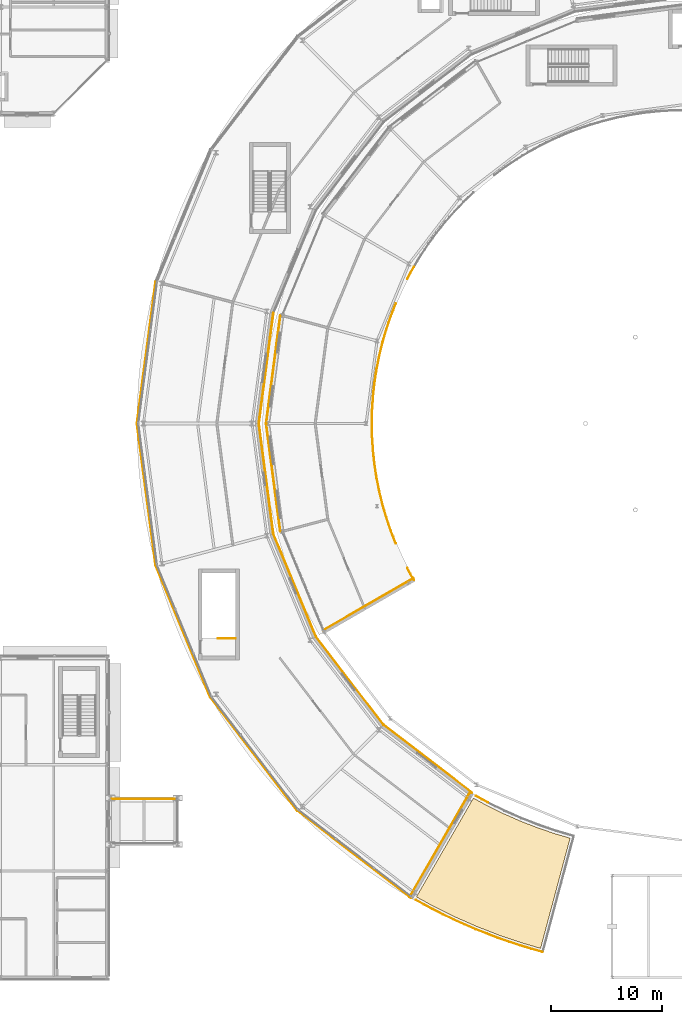
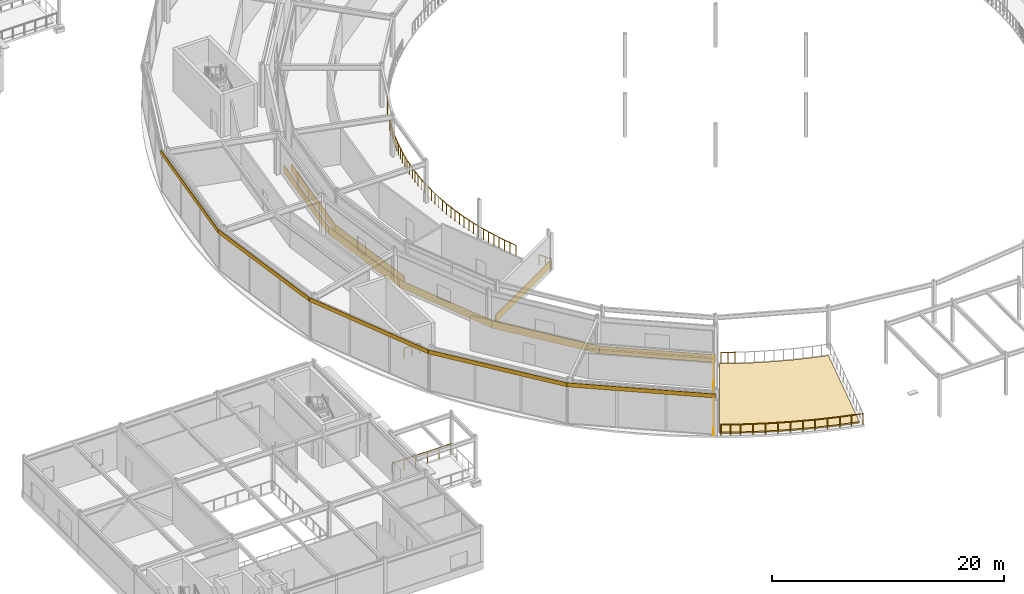
# One storey, part 138 of 157: 29 railings, 15 coverings.
"""IFC4 building model written with IfcOpenShell, lengths in metres."""

from ifc_helpers import new_model, si_unit, direction, frame, origin, origin_2d, place, context, subcontext, project, spatial, polyline, rectangle, circle, outline, extrude, material, layer, layer_set, type_object, element, save


model = new_model("IFC4")

# Units and contexts
model_context = context("Model", 3, precision=1e-05, world=origin(), true_north=direction((0.0, 1.0)))
body_context = subcontext(model_context, "Body", "Model", "MODEL_VIEW")
ifc_project = project(units=[si_unit("LENGTHUNIT", "METRE"), si_unit("AREAUNIT", "SQUARE_METRE"), si_unit("VOLUMEUNIT", "CUBIC_METRE"), si_unit("PLANEANGLEUNIT", "RADIAN"), si_unit("MASSUNIT", "GRAM", prefix="KILO")], contexts=[model_context])

# Site, building, storey
site_placement = place(None, origin())
site = spatial("IfcSite", under=ifc_project, at=site_placement, CompositionType="ELEMENT")
building_placement = place(site_placement, origin())
building = spatial("IfcBuilding", under=site, at=building_placement, Name="Almandine Court Research Institute", CompositionType="ELEMENT")
storey_placement = place(building_placement, frame((0.0, 0.0, 5.25)))
storey = spatial("IfcBuildingStorey", under=building, at=storey_placement, Name="L01", CompositionType="ELEMENT", Elevation=5.25)

# Coverings
ifc_material_1 = material(Name="Honed Andean Red-Buff Sandstone Cladding", Category="masonry")
ifc_layer_1 = layer(ifc_material_1, 0.06494140625)
ifc_layer_set_1 = layer_set([ifc_layer_1], Name="Honed Andean Red-Buff Sandstone Cladding")
covering_type_1 = type_object("IfcCoveringType", Name="Cov-CLAD-SAND", PredefinedType="CLADDING", material=ifc_layer_set_1)
for number, where, z_axis, x_axis, name in (
    (1, (49.172119140625, 60.97998046875, 0.02001953125), (0.0, 0.0, 1.0), (-0.13052619222, -0.991444861374, 0.0), "L01 Facade Spandrel Cladding Band 325"),
    (2, (49.172119140625, 51.02001953125, 0.02001953125), (0.0, 0.0, 1.0), (0.13052619222, -0.991444861374, 0.0), "L01 Facade Spandrel Cladding Band 327"),
    (3, (51.75, 41.39892578125, 0.02001953125), (0.0, 0.0, 1.0), (0.382683432365, -0.923879532511, 0.0), "L01 Facade Spandrel Cladding Band 329"),
    (4, (56.72998046875, 32.77294921875, 0.02001953125), (0.0, 0.0, 1.0), (0.608761429009, -0.793353340291, 0.0), "L01 Facade Spandrel Cladding Band 331"),
    (5, (63.77294921875, 25.72998046875, 0.02001953125), (0.0, 0.0, 1.0), (0.793353340291, -0.608761429009, 0.0), "L01 Facade Spandrel Cladding Band 333"),
):
    element("IfcCovering", number, at=place(storey_placement, frame(where, z_axis=z_axis, x_axis=x_axis)), inside=storey, type_object=covering_type_1, Name=name, PredefinedType="CLADDING", context=body_context, shape_type="SweptSolid", body=[
        extrude(rectangle(XDim=10.080078125, YDim=0.06494140625, at=origin_2d()), origin(), (0.0, 0.0, 1.0), 0.800048828125),
    ])
covering_1_placement = place(storey_placement, frame((64.847900390625, 17.98291015625, 0.02001953125), z_axis=(0.0, 0.0, 1.0), x_axis=(0.5, 0.866025403784, 0.0)))
element("IfcCovering", 6, at=covering_1_placement, inside=storey, type_object=covering_type_1, Name="L01 Facade Spandrel Cladding Band 335", PredefinedType="CLADDING", context=body_context, shape_type="SweptSolid", body=[
    extrude(rectangle(XDim=10.950927734375, YDim=0.06494140625, at=origin_2d()), origin(), (0.0, 0.0, 1.0), 0.800048828125),
])
for number, where, z_axis, x_axis, name in (
    (7, (49.818115234375, 60.89501953125, 0.02001953125), (0.0, 0.0, 1.0), (0.13052619222, 0.991444861374, 0.0), "L01 Facade Spandrel Cladding Band 450"),
    (8, (49.818115234375, 51.10498046875, 0.02001953125), (0.0, 0.0, 1.0), (-0.13052619222, 0.991444861374, 0.0), "L01 Facade Spandrel Cladding Band 451"),
):
    element("IfcCovering", number, at=place(storey_placement, frame(where, z_axis=z_axis, x_axis=x_axis)), inside=storey, type_object=covering_type_1, Name=name, PredefinedType="CLADDING", context=body_context, shape_type="SweptSolid", body=[
        extrude(rectangle(XDim=9.821044921875, YDim=0.06494140625, at=origin_2d()), origin(), (0.0, 0.0, 1.0), 0.800048828125),
    ])
covering_2_placement = place(storey_placement, frame((58.39794921875, 39.68896484375, 0.02001953125), z_axis=(0.0, 0.0, 1.0), x_axis=(0.866025403784, 0.5, 0.0)))
element("IfcCovering", 9, at=covering_2_placement, inside=storey, type_object=covering_type_1, Name="L01 Facade Spandrel Cladding Band 453", PredefinedType="CLADDING", context=body_context, shape_type="SweptSolid", body=[
    extrude(rectangle(XDim=9.402099609375, YDim=0.06494140625, at=origin_2d()), origin(), (0.0, 0.0, 1.0), 0.800048828125),
])
ifc_material_2 = material(Name="Extruded Cream-Ochre Seismic Terracotta Spandrel", Category="masonry")
ifc_layer_2 = layer(ifc_material_2, 0.054931640625)
ifc_layer_set_2 = layer_set([ifc_layer_2], Name="Extruded Cream-Ochre Seismic Terracotta Spandrel")
covering_type_2 = type_object("IfcCoveringType", Name="Cov-CLAD-TERR", PredefinedType="CLADDING", material=ifc_layer_set_2)
for number, where, z_axis, x_axis, name in (
    (10, (38.361083984375, 62.404052734375, 3.97998046875), (0.0, 0.0, 1.0), (0.13052619222, 0.991444861374, 0.0), "L01 Drum Stacked Terracotta Ring Band 11"),
    (11, (38.361083984375, 49.595947265625, 3.97998046875), (0.0, 0.0, 1.0), (-0.13052619222, 0.991444861374, 0.0), "L01 Drum Stacked Terracotta Ring Band 12"),
    (12, (41.676025390625, 37.22607421875, 3.97998046875), (0.0, 0.0, 1.0), (-0.382683432365, 0.923879532511, 0.0), "L01 Drum Stacked Terracotta Ring Band 13"),
    (13, (48.080078125, 26.135009765625, 3.97998046875), (0.0, 0.0, 1.0), (-0.608761429009, 0.793353340291, 0.0), "L01 Drum Stacked Terracotta Ring Band 14"),
    (14, (57.135009765625, 17.080078125, 3.97998046875), (0.0, 0.0, 1.0), (-0.793353340291, 0.608761429009, 0.0), "L01 Drum Stacked Terracotta Ring Band 15"),
):
    element("IfcCovering", number, at=place(storey_placement, frame(where, z_axis=z_axis, x_axis=x_axis)), inside=storey, type_object=covering_type_2, Name=name, PredefinedType="CLADDING", context=body_context, shape_type="SweptSolid", body=[
        extrude(rectangle(XDim=12.8779296875, YDim=0.054931640625, at=origin_2d()), origin(), (0.0, 0.0, 1.0), 0.419921875),
    ])
ifc_material_3 = material(Name="Extensive Andean Sedum Planted Green Roof Build-Up")
ifc_layer_3 = layer(ifc_material_3, 0.139892578125)
ifc_layer_set_3 = layer_set([ifc_layer_3], Name="Extensive Andean Sedum Planted Green Roof Build-Up")
covering_type_3 = type_object("IfcCoveringType", Name="Cov-ROOF-GREEN", PredefinedType="ROOFING", material=ifc_layer_set_3)
covering_3_placement = place(storey_placement, origin())
element("IfcCovering", 15, at=covering_3_placement, inside=storey, type_object=covering_type_3, Name="L01 Planted Green Roof Covering 11", PredefinedType="ROOFING", context=body_context, shape_type="SweptSolid", body=[
    extrude(outline(polyline([(62.73193359375, 13.26708984375), (67.882080078125, 22.18603515625), (69.06103515625, 21.5390625), (70.5810546875, 20.7900390625), (72.133056640625, 20.10791015625), (73.7119140625, 19.492919921875), (75.318115234375, 18.947998046875), (76.60791015625, 18.572021484375), (73.943115234375, 8.623046875), (72.219970703125, 9.125), (70.18994140625, 9.81396484375), (68.19091796875, 10.591064453125), (66.22802734375, 11.455078125), (64.304931640625, 12.404052734375), (62.73193359375, 13.26708984375)])), origin(), (0.0, 0.0, 1.0), 0.139892578125),
])

# Railings
ifc_material_4 = material(Name="Architectural Powder-Coated Aluminium Balustrade", Category="aluminium")
railing_type_1 = type_object("IfcRailingType", Name="Rail-BAL-EXT", PredefinedType="BALUSTRADE", material=ifc_material_4)
railing_1_placement = place(storey_placement, frame((68.10498046875, 22.3720703125, 0.0)))
element("IfcRailing", 16, at=railing_1_placement, inside=storey, type_object=railing_type_1, Name="L01 Terrace Perimeter Balustrade 037", PredefinedType="BALUSTRADE", context=body_context, shape_type="SweptSolid", body=[
    extrude(circle(Radius=0.02392578125, at=origin_2d()), frame((0.0, 0.0, 1.1259765625), z_axis=(0.876750466541, -0.480945547251, 0.0), x_axis=(0.480945547251, 0.876750466541, 0.0)), (0.0, 0.0, 1.0), 1.23291015625),
    extrude(circle(Radius=0.02099609375, at=origin_2d()), origin(), (0.0, 0.0, 1.0), 1.101806640625),
    extrude(circle(Radius=0.02099609375, at=origin_2d()), frame((0.54052734375, -0.29638671875, 0.0)), (0.0, 0.0, 1.0), 1.101806640625),
    extrude(circle(Radius=0.02099609375, at=origin_2d()), frame((1.0810546875, -0.593017578125, 0.0)), (0.0, 0.0, 1.0), 1.101806640625),
])
railing_2_placement = place(storey_placement, frame((74.132080078125, 8.287109375, 0.0)))
element("IfcRailing", 17, at=railing_2_placement, inside=storey, type_object=railing_type_1, Name="L01 Terrace Perimeter Balustrade 044", PredefinedType="BALUSTRADE", context=body_context, shape_type="SweptSolid", body=[
    extrude(circle(Radius=0.02392578125, at=origin_2d()), frame((0.0, 0.0, 1.1259765625), z_axis=(-0.960194723053, 0.279331512402, 0.0), x_axis=(-0.279331512402, -0.960194723053, 0.0)), (0.0, 0.0, 1.0), 2.07568359375),
    extrude(circle(Radius=0.02099609375, at=origin_2d()), origin(), (0.0, 0.0, 1.0), 1.101806640625),
    extrude(circle(Radius=0.02099609375, at=origin_2d()), frame((-0.99658203125, 0.2900390625, 0.0)), (0.0, 0.0, 1.0), 1.101806640625),
    extrude(circle(Radius=0.02099609375, at=origin_2d()), frame((-1.9931640625, 0.579833984375, 0.0)), (0.0, 0.0, 1.0), 1.101806640625),
])
railing_3_placement = place(storey_placement, frame((72.138916015625, 8.866943359375, 0.0)))
element("IfcRailing", 18, at=railing_3_placement, inside=storey, type_object=railing_type_1, Name="L01 Terrace Perimeter Balustrade 045", PredefinedType="BALUSTRADE", context=body_context, shape_type="SweptSolid", body=[
    extrude(circle(Radius=0.02392578125, at=origin_2d()), frame((0.0, 0.0, 1.1259765625), z_axis=(-0.946936863637, 0.321419626478, 0.0), x_axis=(-0.321419626478, -0.946936863637, 0.0)), (0.0, 0.0, 1.0), 2.156494140625),
    extrude(circle(Radius=0.02099609375, at=origin_2d()), origin(), (0.0, 0.0, 1.0), 1.101806640625),
    extrude(circle(Radius=0.02099609375, at=origin_2d()), frame((-1.02099609375, 0.3466796875, 0.0)), (0.0, 0.0, 1.0), 1.101806640625),
    extrude(circle(Radius=0.02099609375, at=origin_2d()), frame((-2.0419921875, 0.693115234375, 0.0)), (0.0, 0.0, 1.0), 1.101806640625),
])
railing_4_placement = place(storey_placement, frame((70.096923828125, 9.56005859375, 0.0)))
element("IfcRailing", 19, at=railing_4_placement, inside=storey, type_object=railing_type_1, Name="L01 Terrace Perimeter Balustrade 046", PredefinedType="BALUSTRADE", context=body_context, shape_type="SweptSolid", body=[
    extrude(circle(Radius=0.02392578125, at=origin_2d()), frame((0.0, 0.0, 1.1259765625), z_axis=(-0.931896242197, 0.362724956101, 0.0), x_axis=(-0.362724956101, -0.931896242197, 0.0)), (0.0, 0.0, 1.0), 2.15576171875),
    extrude(circle(Radius=0.02099609375, at=origin_2d()), origin(), (0.0, 0.0, 1.0), 1.101806640625),
    extrude(circle(Radius=0.02099609375, at=origin_2d()), frame((-1.00439453125, 0.39111328125, 0.0)), (0.0, 0.0, 1.0), 1.101806640625),
    extrude(circle(Radius=0.02099609375, at=origin_2d()), frame((-2.009033203125, 0.781982421875, 0.0)), (0.0, 0.0, 1.0), 1.101806640625),
])
railing_5_placement = place(storey_placement, frame((68.087890625, 10.342041015625, 0.0)))
element("IfcRailing", 20, at=railing_5_placement, inside=storey, type_object=railing_type_1, Name="L01 Terrace Perimeter Balustrade 047", PredefinedType="BALUSTRADE", context=body_context, shape_type="SweptSolid", body=[
    extrude(circle(Radius=0.02392578125, at=origin_2d()), frame((0.0, 0.0, 1.1259765625), z_axis=(-0.915248251173, 0.402890355711, 0.0), x_axis=(-0.402890355711, -0.915248251173, 0.0)), (0.0, 0.0, 1.0), 2.15673828125),
    extrude(circle(Radius=0.02099609375, at=origin_2d()), origin(), (0.0, 0.0, 1.0), 1.101806640625),
    extrude(circle(Radius=0.02099609375, at=origin_2d()), frame((-0.98681640625, 0.4345703125, 0.0)), (0.0, 0.0, 1.0), 1.101806640625),
    extrude(circle(Radius=0.02099609375, at=origin_2d()), frame((-1.973876953125, 0.868896484375, 0.0)), (0.0, 0.0, 1.0), 1.101806640625),
])
railing_6_placement = place(storey_placement, frame((66.114013671875, 11.2109375, 0.0)))
element("IfcRailing", 21, at=railing_6_placement, inside=storey, type_object=railing_type_1, Name="L01 Terrace Perimeter Balustrade 048", PredefinedType="BALUSTRADE", context=body_context, shape_type="SweptSolid", body=[
    extrude(circle(Radius=0.02392578125, at=origin_2d()), frame((0.0, 0.0, 1.1259765625), z_axis=(-0.896993891431, 0.442042937661, 0.0), x_axis=(-0.442042937661, -0.896993891431, 0.0)), (0.0, 0.0, 1.0), 2.15625),
    extrude(circle(Radius=0.02099609375, at=origin_2d()), origin(), (0.0, 0.0, 1.0), 1.101806640625),
    extrude(circle(Radius=0.02099609375, at=origin_2d()), frame((-0.967041015625, 0.4765625, 0.0)), (0.0, 0.0, 1.0), 1.101806640625),
    extrude(circle(Radius=0.02099609375, at=origin_2d()), frame((-1.93408203125, 0.953125, 0.0)), (0.0, 0.0, 1.0), 1.101806640625),
])
railing_7_placement = place(storey_placement, frame((64.179931640625, 12.1640625, 0.0)))
element("IfcRailing", 22, at=railing_7_placement, inside=storey, type_object=railing_type_1, Name="L01 Terrace Perimeter Balustrade 049", PredefinedType="BALUSTRADE", context=body_context, shape_type="SweptSolid", body=[
    extrude(circle(Radius=0.02392578125, at=origin_2d()), frame((0.0, 0.0, 1.1259765625), z_axis=(-0.876496835799, 0.48140762025, 0.0), x_axis=(-0.48140762025, -0.876496835799, 0.0)), (0.0, 0.0, 1.0), 1.70556640625),
    extrude(circle(Radius=0.02099609375, at=origin_2d()), origin(), (0.0, 0.0, 1.0), 1.101806640625),
    extrude(circle(Radius=0.02099609375, at=origin_2d()), frame((-0.74755859375, 0.41064453125, 0.0)), (0.0, 0.0, 1.0), 1.101806640625),
    extrude(circle(Radius=0.02099609375, at=origin_2d()), frame((-1.494873046875, 0.821044921875, 0.0)), (0.0, 0.0, 1.0), 1.101806640625),
])
railing_8_placement = place(storey_placement, frame((35.25, 22.1201171875, 0.0)))
element("IfcRailing", 23, at=railing_8_placement, inside=storey, type_object=railing_type_1, Name="L01 Terrace Perimeter Balustrade 152", PredefinedType="BALUSTRADE", context=body_context, shape_type="SweptSolid", body=[
    extrude(circle(Radius=0.02392578125, at=origin_2d()), frame((0.0, 0.0, 1.1259765625), z_axis=(1.0, 0.0, 0.0), x_axis=(0.0, 1.0, 0.0)), (0.0, 0.0, 1.0), 5.8701171875),
    extrude(circle(Radius=0.02099609375, at=origin_2d()), origin(), (0.0, 0.0, 1.0), 1.101806640625),
    extrude(circle(Radius=0.02099609375, at=origin_2d()), frame((1.174072265625, 0.0, 0.0)), (0.0, 0.0, 1.0), 1.101806640625),
    extrude(circle(Radius=0.02099609375, at=origin_2d()), frame((2.34814453125, 0.0, 0.0)), (0.0, 0.0, 1.0), 1.101806640625),
    extrude(circle(Radius=0.02099609375, at=origin_2d()), frame((3.52197265625, 0.0, 0.0)), (0.0, 0.0, 1.0), 1.101806640625),
    extrude(circle(Radius=0.02099609375, at=origin_2d()), frame((4.696044921875, 0.0, 0.0)), (0.0, 0.0, 1.0), 1.101806640625),
    extrude(circle(Radius=0.02099609375, at=origin_2d()), frame((5.8701171875, 0.0, 0.0)), (0.0, 0.0, 1.0), 1.101806640625),
])
ifc_material_5 = material(Name="Powder-Coated Steel Stair and Atrium Balustrade", Category="steel")
railing_type_2 = type_object("IfcRailingType", Name="Rail-GUARD-INT", PredefinedType="BALUSTRADE", material=ifc_material_5)
railing_9_placement = place(storey_placement, frame((46.39990234375, 36.60009765625, 0.0)))
element("IfcRailing", 24, at=railing_9_placement, inside=storey, type_object=railing_type_2, Name="L01 ST-17 top well guard 1", PredefinedType="BALUSTRADE", context=body_context, shape_type="SweptSolid", body=[
    extrude(circle(Radius=0.02392578125, at=origin_2d()), frame((0.0, 0.0, 1.09619140625), z_axis=(-1.0, 0.0, 0.0), x_axis=(0.0, -1.0, 0.0)), (0.0, 0.0, 1.0), 1.579833984375),
    extrude(circle(Radius=0.02099609375, at=origin_2d()), origin(), (0.0, 0.0, 1.0), 1.072021484375),
    extrude(circle(Radius=0.02099609375, at=origin_2d()), frame((-0.7900390625, 0.0, 0.0)), (0.0, 0.0, 1.0), 1.072021484375),
    extrude(circle(Radius=0.02099609375, at=origin_2d()), frame((-1.579833984375, 0.0, 0.0)), (0.0, 0.0, 1.0), 1.072021484375),
])
railing_10_placement = place(storey_placement, frame((62.509033203125, 70.139892578125, 0.0)))
element("IfcRailing", 25, at=railing_10_placement, inside=storey, type_object=railing_type_2, Name="L01 Atrium Gallery Void Balustrade 073", PredefinedType="BALUSTRADE", context=body_context, shape_type="SweptSolid", body=[
    extrude(circle(Radius=0.02392578125, at=origin_2d()), frame((0.0, 0.0, 1.09619140625), z_axis=(-0.481303518995, -0.876554004385, 0.0), x_axis=(0.876554004385, -0.481303518995, 0.0)), (0.0, 0.0, 1.0), 1.234130859375),
    extrude(circle(Radius=0.02099609375, at=origin_2d()), origin(), (0.0, 0.0, 1.0), 1.072021484375),
    extrude(circle(Radius=0.02099609375, at=origin_2d()), frame((-0.296875, -0.541015625, 0.0)), (0.0, 0.0, 1.0), 1.072021484375),
    extrude(circle(Radius=0.02099609375, at=origin_2d()), frame((-0.593994140625, -1.081787109375, 0.0)), (0.0, 0.0, 1.0), 1.072021484375),
])
railing_11_placement = place(storey_placement, frame((60.873046875, 66.822021484375, 0.0)))
element("IfcRailing", 26, at=railing_11_placement, inside=storey, type_object=railing_type_2, Name="L01 Atrium Gallery Void Balustrade 076", PredefinedType="BALUSTRADE", context=body_context, shape_type="SweptSolid", body=[
    extrude(circle(Radius=0.02392578125, at=origin_2d()), frame((0.0, 0.0, 1.09619140625), z_axis=(-0.363018999562, -0.931781737295, 0.0), x_axis=(0.931781737295, -0.363018999562, 0.0)), (0.0, 0.0, 1.0), 1.234130859375),
    extrude(circle(Radius=0.02099609375, at=origin_2d()), origin(), (0.0, 0.0, 1.0), 1.072021484375),
    extrude(circle(Radius=0.02099609375, at=origin_2d()), frame((-0.22412109375, -0.574951171875, 0.0)), (0.0, 0.0, 1.0), 1.072021484375),
    extrude(circle(Radius=0.02099609375, at=origin_2d()), frame((-0.447998046875, -1.14990234375, 0.0)), (0.0, 0.0, 1.0), 1.072021484375),
])
railing_12_placement = place(storey_placement, frame((60.425048828125, 65.672119140625, 0.0)))
element("IfcRailing", 27, at=railing_12_placement, inside=storey, type_object=railing_type_2, Name="L01 Atrium Gallery Void Balustrade 077", PredefinedType="BALUSTRADE", context=body_context, shape_type="SweptSolid", body=[
    extrude(circle(Radius=0.02392578125, at=origin_2d()), frame((0.0, 0.0, 1.09619140625), z_axis=(-0.321033263354, -0.947067919328, 0.0), x_axis=(0.947067919328, -0.321033263354, 0.0)), (0.0, 0.0, 1.0), 1.2333984375),
    extrude(circle(Radius=0.02099609375, at=origin_2d()), origin(), (0.0, 0.0, 1.0), 1.072021484375),
    extrude(circle(Radius=0.02099609375, at=origin_2d()), frame((-0.197998046875, -0.583984375, 0.0)), (0.0, 0.0, 1.0), 1.072021484375),
    extrude(circle(Radius=0.02099609375, at=origin_2d()), frame((-0.39599609375, -1.168212890625, 0.0)), (0.0, 0.0, 1.0), 1.072021484375),
])
railing_13_placement = place(storey_placement, frame((60.029052734375, 64.50390625, 0.0)))
element("IfcRailing", 28, at=railing_13_placement, inside=storey, type_object=railing_type_2, Name="L01 Atrium Gallery Void Balustrade 078", PredefinedType="BALUSTRADE", context=body_context, shape_type="SweptSolid", body=[
    extrude(circle(Radius=0.02392578125, at=origin_2d()), frame((0.0, 0.0, 1.09619140625), z_axis=(-0.279551737055, -0.960130629815, 0.0), x_axis=(0.960130629815, -0.279551737055, 0.0)), (0.0, 0.0, 1.0), 1.234130859375),
    extrude(circle(Radius=0.02099609375, at=origin_2d()), origin(), (0.0, 0.0, 1.0), 1.072021484375),
    extrude(circle(Radius=0.02099609375, at=origin_2d()), frame((-0.17236328125, -0.59228515625, 0.0)), (0.0, 0.0, 1.0), 1.072021484375),
    extrude(circle(Radius=0.02099609375, at=origin_2d()), frame((-0.344970703125, -1.184814453125, 0.0)), (0.0, 0.0, 1.0), 1.072021484375),
])
railing_14_placement = place(storey_placement, frame((59.68408203125, 63.319091796875, 0.0)))
element("IfcRailing", 29, at=railing_14_placement, inside=storey, type_object=railing_type_2, Name="L01 Atrium Gallery Void Balustrade 079", PredefinedType="BALUSTRADE", context=body_context, shape_type="SweptSolid", body=[
    extrude(circle(Radius=0.02392578125, at=origin_2d()), frame((0.0, 0.0, 1.09619140625), z_axis=(-0.238482165634, -0.971146876983, 0.0), x_axis=(0.971146876983, -0.238482165634, 0.0)), (0.0, 0.0, 1.0), 1.233642578125),
    extrude(circle(Radius=0.02099609375, at=origin_2d()), origin(), (0.0, 0.0, 1.0), 1.072021484375),
    extrude(circle(Radius=0.02099609375, at=origin_2d()), frame((-0.14697265625, -0.59912109375, 0.0)), (0.0, 0.0, 1.0), 1.072021484375),
    extrude(circle(Radius=0.02099609375, at=origin_2d()), frame((-0.294189453125, -1.197998046875, 0.0)), (0.0, 0.0, 1.0), 1.072021484375),
])
railing_15_placement = place(storey_placement, frame((59.389892578125, 62.12109375, 0.0)))
element("IfcRailing", 30, at=railing_15_placement, inside=storey, type_object=railing_type_2, Name="L01 Atrium Gallery Void Balustrade 080", PredefinedType="BALUSTRADE", context=body_context, shape_type="SweptSolid", body=[
    extrude(circle(Radius=0.02392578125, at=origin_2d()), frame((0.0, 0.0, 1.09619140625), z_axis=(-0.194517600272, -0.980899028027, 0.0), x_axis=(0.980899028027, -0.194517600272, 0.0)), (0.0, 0.0, 1.0), 1.23388671875),
    extrude(circle(Radius=0.02099609375, at=origin_2d()), origin(), (0.0, 0.0, 1.0), 1.072021484375),
    extrude(circle(Radius=0.02099609375, at=origin_2d()), frame((-0.1201171875, -0.60498046875, 0.0)), (0.0, 0.0, 1.0), 1.072021484375),
    extrude(circle(Radius=0.02099609375, at=origin_2d()), frame((-0.239990234375, -1.210205078125, 0.0)), (0.0, 0.0, 1.0), 1.072021484375),
])
railing_16_placement = place(storey_placement, frame((59.14990234375, 60.910888671875, 0.0)))
element("IfcRailing", 31, at=railing_16_placement, inside=storey, type_object=railing_type_2, Name="L01 Atrium Gallery Void Balustrade 081", PredefinedType="BALUSTRADE", context=body_context, shape_type="SweptSolid", body=[
    extrude(circle(Radius=0.02392578125, at=origin_2d()), frame((0.0, 0.0, 1.09619140625), z_axis=(-0.152294979987, -0.988335084408, 0.0), x_axis=(0.988335084408, -0.152294979987, 0.0)), (0.0, 0.0, 1.0), 1.234375),
    extrude(circle(Radius=0.02099609375, at=origin_2d()), origin(), (0.0, 0.0, 1.0), 1.072021484375),
    extrude(circle(Radius=0.02099609375, at=origin_2d()), frame((-0.093994140625, -0.60986328125, 0.0)), (0.0, 0.0, 1.0), 1.072021484375),
    extrude(circle(Radius=0.02099609375, at=origin_2d()), frame((-0.18798828125, -1.219970703125, 0.0)), (0.0, 0.0, 1.0), 1.072021484375),
])
railing_17_placement = place(storey_placement, frame((58.9619140625, 59.69091796875, 0.0)))
element("IfcRailing", 32, at=railing_17_placement, inside=storey, type_object=railing_type_2, Name="L01 Atrium Gallery Void Balustrade 082", PredefinedType="BALUSTRADE", context=body_context, shape_type="SweptSolid", body=[
    extrude(circle(Radius=0.02392578125, at=origin_2d()), frame((0.0, 0.0, 1.09619140625), z_axis=(-0.108692965068, -0.994075369046, 0.0), x_axis=(0.994075369046, -0.108692965068, 0.0)), (0.0, 0.0, 1.0), 1.233154296875),
    extrude(circle(Radius=0.02099609375, at=origin_2d()), origin(), (0.0, 0.0, 1.0), 1.072021484375),
    extrude(circle(Radius=0.02099609375, at=origin_2d()), frame((-0.06689453125, -0.61279296875, 0.0)), (0.0, 0.0, 1.0), 1.072021484375),
    extrude(circle(Radius=0.02099609375, at=origin_2d()), frame((-0.134033203125, -1.225830078125, 0.0)), (0.0, 0.0, 1.0), 1.072021484375),
])
railing_18_placement = place(storey_placement, frame((58.827880859375, 58.465087890625, 0.0)))
element("IfcRailing", 33, at=railing_18_placement, inside=storey, type_object=railing_type_2, Name="L01 Atrium Gallery Void Balustrade 083", PredefinedType="BALUSTRADE", context=body_context, shape_type="SweptSolid", body=[
    extrude(circle(Radius=0.02392578125, at=origin_2d()), frame((0.0, 0.0, 1.09619140625), z_axis=(-0.065494609862, -0.99785292307, 0.0), x_axis=(0.99785292307, -0.065494609862, 0.0)), (0.0, 0.0, 1.0), 1.23388671875),
    extrude(circle(Radius=0.02099609375, at=origin_2d()), origin(), (0.0, 0.0, 1.0), 1.072021484375),
    extrude(circle(Radius=0.02099609375, at=origin_2d()), frame((-0.04052734375, -0.61572265625, 0.0)), (0.0, 0.0, 1.0), 1.072021484375),
    extrude(circle(Radius=0.02099609375, at=origin_2d()), frame((-0.080810546875, -1.231201171875, 0.0)), (0.0, 0.0, 1.0), 1.072021484375),
])
railing_19_placement = place(storey_placement, frame((58.7470703125, 57.23388671875, 0.0)))
element("IfcRailing", 34, at=railing_19_placement, inside=storey, type_object=railing_type_2, Name="L01 Atrium Gallery Void Balustrade 084", PredefinedType="BALUSTRADE", context=body_context, shape_type="SweptSolid", body=[
    extrude(circle(Radius=0.02392578125, at=origin_2d()), frame((0.0, 0.0, 1.09619140625), z_axis=(-0.021957506617, -0.999758904888, 0.0), x_axis=(0.999758904888, -0.021957506617, 0.0)), (0.0, 0.0, 1.0), 1.234130859375),
    extrude(circle(Radius=0.02099609375, at=origin_2d()), origin(), (0.0, 0.0, 1.0), 1.072021484375),
    extrude(circle(Radius=0.02099609375, at=origin_2d()), frame((-0.013671875, -0.616943359375, 0.0)), (0.0, 0.0, 1.0), 1.072021484375),
    extrude(circle(Radius=0.02099609375, at=origin_2d()), frame((-0.027099609375, -1.23388671875, 0.0)), (0.0, 0.0, 1.0), 1.072021484375),
])
railing_20_placement = place(storey_placement, frame((58.719970703125, 56.0, 0.0)))
element("IfcRailing", 35, at=railing_20_placement, inside=storey, type_object=railing_type_2, Name="L01 Atrium Gallery Void Balustrade 085", PredefinedType="BALUSTRADE", context=body_context, shape_type="SweptSolid", body=[
    extrude(circle(Radius=0.02392578125, at=origin_2d()), frame((0.0, 0.0, 1.09619140625), z_axis=(0.021957506617, -0.999758904888, 0.0), x_axis=(0.999758904888, 0.021957506617, 0.0)), (0.0, 0.0, 1.0), 1.234130859375),
    extrude(circle(Radius=0.02099609375, at=origin_2d()), origin(), (0.0, 0.0, 1.0), 1.072021484375),
    extrude(circle(Radius=0.02099609375, at=origin_2d()), frame((0.013671875, -0.616943359375, 0.0)), (0.0, 0.0, 1.0), 1.072021484375),
    extrude(circle(Radius=0.02099609375, at=origin_2d()), frame((0.027099609375, -1.23388671875, 0.0)), (0.0, 0.0, 1.0), 1.072021484375),
])
railing_21_placement = place(storey_placement, frame((58.7470703125, 54.76611328125, 0.0)))
element("IfcRailing", 36, at=railing_21_placement, inside=storey, type_object=railing_type_2, Name="L01 Atrium Gallery Void Balustrade 086", PredefinedType="BALUSTRADE", context=body_context, shape_type="SweptSolid", body=[
    extrude(circle(Radius=0.02392578125, at=origin_2d()), frame((0.0, 0.0, 1.09619140625), z_axis=(0.065494609862, -0.99785292307, 0.0), x_axis=(0.99785292307, 0.065494609862, 0.0)), (0.0, 0.0, 1.0), 1.23388671875),
    extrude(circle(Radius=0.02099609375, at=origin_2d()), origin(), (0.0, 0.0, 1.0), 1.072021484375),
    extrude(circle(Radius=0.02099609375, at=origin_2d()), frame((0.04052734375, -0.61572265625, 0.0)), (0.0, 0.0, 1.0), 1.072021484375),
    extrude(circle(Radius=0.02099609375, at=origin_2d()), frame((0.080810546875, -1.231201171875, 0.0)), (0.0, 0.0, 1.0), 1.072021484375),
])
railing_22_placement = place(storey_placement, frame((58.827880859375, 53.534912109375, 0.0)))
element("IfcRailing", 37, at=railing_22_placement, inside=storey, type_object=railing_type_2, Name="L01 Atrium Gallery Void Balustrade 087", PredefinedType="BALUSTRADE", context=body_context, shape_type="SweptSolid", body=[
    extrude(circle(Radius=0.02392578125, at=origin_2d()), frame((0.0, 0.0, 1.09619140625), z_axis=(0.108692965068, -0.994075369046, 0.0), x_axis=(0.994075369046, 0.108692965068, 0.0)), (0.0, 0.0, 1.0), 1.233154296875),
    extrude(circle(Radius=0.02099609375, at=origin_2d()), origin(), (0.0, 0.0, 1.0), 1.072021484375),
    extrude(circle(Radius=0.02099609375, at=origin_2d()), frame((0.06689453125, -0.61279296875, 0.0)), (0.0, 0.0, 1.0), 1.072021484375),
    extrude(circle(Radius=0.02099609375, at=origin_2d()), frame((0.134033203125, -1.225830078125, 0.0)), (0.0, 0.0, 1.0), 1.072021484375),
])
railing_23_placement = place(storey_placement, frame((58.9619140625, 52.30908203125, 0.0)))
element("IfcRailing", 38, at=railing_23_placement, inside=storey, type_object=railing_type_2, Name="L01 Atrium Gallery Void Balustrade 088", PredefinedType="BALUSTRADE", context=body_context, shape_type="SweptSolid", body=[
    extrude(circle(Radius=0.02392578125, at=origin_2d()), frame((0.0, 0.0, 1.09619140625), z_axis=(0.152294979987, -0.988335084408, 0.0), x_axis=(0.988335084408, 0.152294979987, 0.0)), (0.0, 0.0, 1.0), 1.234375),
    extrude(circle(Radius=0.02099609375, at=origin_2d()), origin(), (0.0, 0.0, 1.0), 1.072021484375),
    extrude(circle(Radius=0.02099609375, at=origin_2d()), frame((0.093994140625, -0.60986328125, 0.0)), (0.0, 0.0, 1.0), 1.072021484375),
    extrude(circle(Radius=0.02099609375, at=origin_2d()), frame((0.18798828125, -1.219970703125, 0.0)), (0.0, 0.0, 1.0), 1.072021484375),
])
railing_24_placement = place(storey_placement, frame((59.14990234375, 51.089111328125, 0.0)))
element("IfcRailing", 39, at=railing_24_placement, inside=storey, type_object=railing_type_2, Name="L01 Atrium Gallery Void Balustrade 089", PredefinedType="BALUSTRADE", context=body_context, shape_type="SweptSolid", body=[
    extrude(circle(Radius=0.02392578125, at=origin_2d()), frame((0.0, 0.0, 1.09619140625), z_axis=(0.194517600272, -0.980899028027, 0.0), x_axis=(0.980899028027, 0.194517600272, 0.0)), (0.0, 0.0, 1.0), 1.23388671875),
    extrude(circle(Radius=0.02099609375, at=origin_2d()), origin(), (0.0, 0.0, 1.0), 1.072021484375),
    extrude(circle(Radius=0.02099609375, at=origin_2d()), frame((0.1201171875, -0.60498046875, 0.0)), (0.0, 0.0, 1.0), 1.072021484375),
    extrude(circle(Radius=0.02099609375, at=origin_2d()), frame((0.239990234375, -1.210205078125, 0.0)), (0.0, 0.0, 1.0), 1.072021484375),
])
railing_25_placement = place(storey_placement, frame((59.389892578125, 49.87890625, 0.0)))
element("IfcRailing", 40, at=railing_25_placement, inside=storey, type_object=railing_type_2, Name="L01 Atrium Gallery Void Balustrade 090", PredefinedType="BALUSTRADE", context=body_context, shape_type="SweptSolid", body=[
    extrude(circle(Radius=0.02392578125, at=origin_2d()), frame((0.0, 0.0, 1.09619140625), z_axis=(0.238482165634, -0.971146876983, 0.0), x_axis=(0.971146876983, 0.238482165634, 0.0)), (0.0, 0.0, 1.0), 1.233642578125),
    extrude(circle(Radius=0.02099609375, at=origin_2d()), origin(), (0.0, 0.0, 1.0), 1.072021484375),
    extrude(circle(Radius=0.02099609375, at=origin_2d()), frame((0.14697265625, -0.59912109375, 0.0)), (0.0, 0.0, 1.0), 1.072021484375),
    extrude(circle(Radius=0.02099609375, at=origin_2d()), frame((0.294189453125, -1.197998046875, 0.0)), (0.0, 0.0, 1.0), 1.072021484375),
])
railing_26_placement = place(storey_placement, frame((59.68408203125, 48.680908203125, 0.0)))
element("IfcRailing", 41, at=railing_26_placement, inside=storey, type_object=railing_type_2, Name="L01 Atrium Gallery Void Balustrade 091", PredefinedType="BALUSTRADE", context=body_context, shape_type="SweptSolid", body=[
    extrude(circle(Radius=0.02392578125, at=origin_2d()), frame((0.0, 0.0, 1.09619140625), z_axis=(0.279551737055, -0.960130629815, 0.0), x_axis=(0.960130629815, 0.279551737055, 0.0)), (0.0, 0.0, 1.0), 1.234130859375),
    extrude(circle(Radius=0.02099609375, at=origin_2d()), origin(), (0.0, 0.0, 1.0), 1.072021484375),
    extrude(circle(Radius=0.02099609375, at=origin_2d()), frame((0.17236328125, -0.59228515625, 0.0)), (0.0, 0.0, 1.0), 1.072021484375),
    extrude(circle(Radius=0.02099609375, at=origin_2d()), frame((0.344970703125, -1.184814453125, 0.0)), (0.0, 0.0, 1.0), 1.072021484375),
])
railing_27_placement = place(storey_placement, frame((60.029052734375, 47.49609375, 0.0)))
element("IfcRailing", 42, at=railing_27_placement, inside=storey, type_object=railing_type_2, Name="L01 Atrium Gallery Void Balustrade 092", PredefinedType="BALUSTRADE", context=body_context, shape_type="SweptSolid", body=[
    extrude(circle(Radius=0.02392578125, at=origin_2d()), frame((0.0, 0.0, 1.09619140625), z_axis=(0.321033263354, -0.947067919328, 0.0), x_axis=(0.947067919328, 0.321033263354, 0.0)), (0.0, 0.0, 1.0), 1.2333984375),
    extrude(circle(Radius=0.02099609375, at=origin_2d()), origin(), (0.0, 0.0, 1.0), 1.072021484375),
    extrude(circle(Radius=0.02099609375, at=origin_2d()), frame((0.197998046875, -0.583984375, 0.0)), (0.0, 0.0, 1.0), 1.072021484375),
    extrude(circle(Radius=0.02099609375, at=origin_2d()), frame((0.39599609375, -1.168212890625, 0.0)), (0.0, 0.0, 1.0), 1.072021484375),
])
railing_28_placement = place(storey_placement, frame((60.425048828125, 46.327880859375, 0.0)))
element("IfcRailing", 43, at=railing_28_placement, inside=storey, type_object=railing_type_2, Name="L01 Atrium Gallery Void Balustrade 093", PredefinedType="BALUSTRADE", context=body_context, shape_type="SweptSolid", body=[
    extrude(circle(Radius=0.02392578125, at=origin_2d()), frame((0.0, 0.0, 1.09619140625), z_axis=(0.363018999562, -0.931781737295, 0.0), x_axis=(0.931781737295, 0.363018999562, 0.0)), (0.0, 0.0, 1.0), 1.234130859375),
    extrude(circle(Radius=0.02099609375, at=origin_2d()), origin(), (0.0, 0.0, 1.0), 1.072021484375),
    extrude(circle(Radius=0.02099609375, at=origin_2d()), frame((0.22412109375, -0.574951171875, 0.0)), (0.0, 0.0, 1.0), 1.072021484375),
    extrude(circle(Radius=0.02099609375, at=origin_2d()), frame((0.447998046875, -1.14990234375, 0.0)), (0.0, 0.0, 1.0), 1.072021484375),
])
railing_29_placement = place(storey_placement, frame((61.9150390625, 42.94189453125, 0.0)))
element("IfcRailing", 44, at=railing_29_placement, inside=storey, type_object=railing_type_2, Name="L01 Atrium Gallery Void Balustrade 096", PredefinedType="BALUSTRADE", context=body_context, shape_type="SweptSolid", body=[
    extrude(circle(Radius=0.02392578125, at=origin_2d()), frame((0.0, 0.0, 1.09619140625), z_axis=(0.481303518995, -0.876554004385, 0.0), x_axis=(0.876554004385, 0.481303518995, 0.0)), (0.0, 0.0, 1.0), 1.234130859375),
    extrude(circle(Radius=0.02099609375, at=origin_2d()), origin(), (0.0, 0.0, 1.0), 1.072021484375),
    extrude(circle(Radius=0.02099609375, at=origin_2d()), frame((0.296875, -0.541015625, 0.0)), (0.0, 0.0, 1.0), 1.072021484375),
    extrude(circle(Radius=0.02099609375, at=origin_2d()), frame((0.593994140625, -1.081787109375, 0.0)), (0.0, 0.0, 1.0), 1.072021484375),
])

save(model, "model.ifc")
